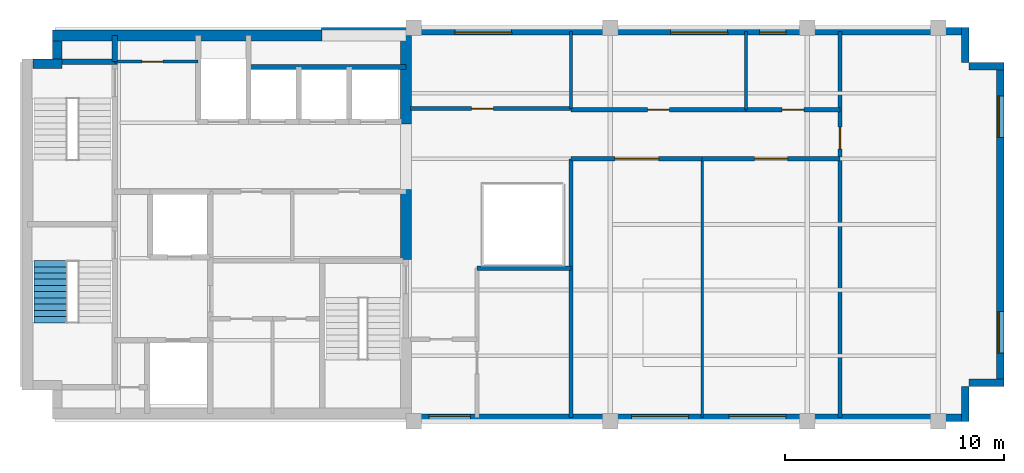
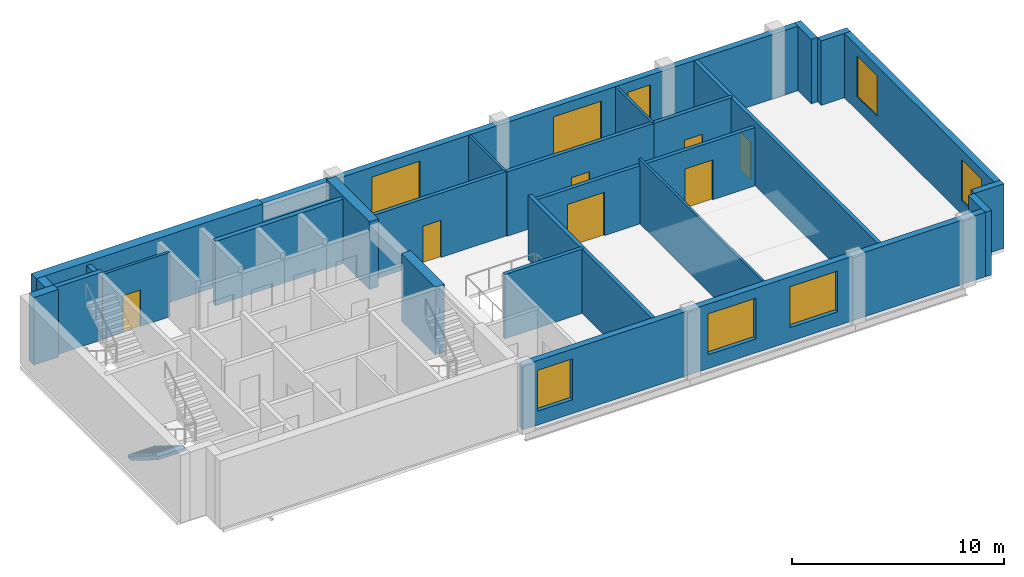
# One storey, part 3 of 5: 27 walls, 8 windows, 7 doors, 1 stair flight, 15 openings, 1 element without a shape of its own.
"""IFC4 building model written with IfcOpenShell, lengths in metres."""

from ifc_helpers import new_model, si_unit, direction, frame, frame_2d, origin, place, context, subcontext, project, spatial, polyline, rectangle, outline, extrude, material, layer, layer_set, type_object, element, fill, aggregate, save


model = new_model("IFC4")

# Units and contexts
model_context = context("Model", 3, precision=1e-05, world=origin(), true_north=direction((0.0, 1.0)))
body_context = subcontext(model_context, "Body", "Model", "MODEL_VIEW")
ifc_project = project(units=[si_unit("LENGTHUNIT", "METRE"), si_unit("AREAUNIT", "SQUARE_METRE"), si_unit("VOLUMEUNIT", "CUBIC_METRE"), si_unit("PLANEANGLEUNIT", "RADIAN"), si_unit("MASSUNIT", "GRAM", prefix="KILO")], contexts=[model_context])

# Site, building, storey
site_placement = place(None, origin())
site = spatial("IfcSite", under=ifc_project, at=site_placement, CompositionType="ELEMENT")
building_placement = place(site_placement, origin())
building = spatial("IfcBuilding", under=site, at=building_placement, Name="Mawjdan Bourse Tower", CompositionType="ELEMENT")
storey_placement = place(building_placement, frame((0.0, 0.0, 297.60009765625)))
storey = spatial("IfcBuildingStorey", under=building, at=storey_placement, Name="L73", CompositionType="ELEMENT", Elevation=297.60009765625)

# Wall, openings, windows
ifc_material_1 = material(Name="Brick Masonry Buff", Category="masonry")
ifc_layer_1 = layer(ifc_material_1, 0.340087890625)
ifc_layer_set_1 = layer_set([ifc_layer_1], Name="Brick Masonry Buff")
wall_type_1 = type_object("IfcWallType", Name="WL-BRK-SPN-340", PredefinedType="STANDARD", material=ifc_layer_set_1)
wall_1_placement = place(storey_placement, frame((23.89990234375, 3.169921875, 0.0), z_axis=(0.0, 0.0, 1.0), x_axis=(1.0, 0.0, 0.0)))
wall_1 = element("IfcWall", 1, at=wall_1_placement, inside=storey, type_object=wall_type_1, Name="L73 Exterior Brick Wall 1", PredefinedType="STANDARD", context=body_context, shape_type="SweptSolid", body=[
    extrude(rectangle(XDim=25.5, YDim=0.340087890625, at=frame_2d((12.75, 0.0))), origin(), (0.0, 0.0, 1.0), 3.71484375),
])
opening_1_placement = place(wall_1_placement, frame((0.800048828125, 0.0, 0.800048828125)))
opening_1 = element("IfcOpeningElement", 2, at=opening_1_placement, cuts=wall_1, Name="Opening W-L73-05", PredefinedType="OPENING", context=body_context, shape_type="SweptSolid", body=[
    extrude(rectangle(XDim=1.89990234375, YDim=2.35009765625, at=frame_2d((0.949951171875, 1.175048828125))), frame((0.0, 0.18017578125, 0.0), z_axis=(0.0, -1.0, 0.0), x_axis=(1.0, 0.0, 0.0)), (0.0, 0.0, 1.0), 0.360107421875),
])
opening_2_placement = place(wall_1_placement, frame((10.07470703125, 0.0, 0.800048828125)))
opening_2 = element("IfcOpeningElement", 3, at=opening_2_placement, cuts=wall_1, Name="Opening W-L73-06", PredefinedType="OPENING", context=body_context, shape_type="SweptSolid", body=[
    extrude(rectangle(XDim=2.60009765625, YDim=2.35009765625, at=frame_2d((1.300048828125, 1.175048828125))), frame((0.0, 0.18017578125, 0.0), z_axis=(0.0, -1.0, 0.0), x_axis=(1.0, 0.0, 0.0)), (0.0, 0.0, 1.0), 0.360107421875),
])
opening_3_placement = place(wall_1_placement, frame((14.52490234375, 0.0, 0.800048828125)))
opening_3 = element("IfcOpeningElement", 4, at=opening_3_placement, cuts=wall_1, Name="Opening W-L73-07", PredefinedType="OPENING", context=body_context, shape_type="SweptSolid", body=[
    extrude(rectangle(XDim=2.60009765625, YDim=2.35009765625, at=frame_2d((1.300048828125, 1.175048828125))), frame((0.0, 0.18017578125, 0.0), z_axis=(0.0, -1.0, 0.0), x_axis=(1.0, 0.0, 0.0)), (0.0, 0.0, 1.0), 0.360107421875),
])
ifc_material_2 = material(Name="Solar-Control Clear Double Glazing", Category="glass")
window_type_1 = type_object("IfcWindowType", Name="WN-SMT-1900", PartitioningType="SINGLE_PANEL", PredefinedType="WINDOW", material=ifc_material_2)
window_1_placement = place(opening_1_placement, origin())
window_1 = element("IfcWindow", 5, at=window_1_placement, inside=storey, type_object=window_type_1, Name="L73 Deep-Set Masonry Window W-L73-05", OverallHeight=2.35009765625, OverallWidth=1.89990234375, PartitioningType="SINGLE_PANEL", PredefinedType="WINDOW", context=body_context, shape_type="SweptSolid", body=[
    extrude(rectangle(XDim=1.89990234375, YDim=2.35009765625, at=frame_2d((0.949951171875, 1.175048828125))), frame((0.0, 0.110107421875, 0.0), z_axis=(0.0, -1.0, 0.0), x_axis=(1.0, 0.0, 0.0)), (0.0, 0.0, 1.0), 0.06005859375),
])
fill(opening_1, window_1)
window_type_2 = type_object("IfcWindowType", Name="WN-SMT-2600", PartitioningType="SINGLE_PANEL", PredefinedType="WINDOW", material=ifc_material_2)
window_2_placement = place(opening_2_placement, origin())
window_2 = element("IfcWindow", 6, at=window_2_placement, inside=storey, type_object=window_type_2, Name="L73 Deep-Set Masonry Window W-L73-06", OverallHeight=2.35009765625, OverallWidth=2.60009765625, PartitioningType="SINGLE_PANEL", PredefinedType="WINDOW", context=body_context, shape_type="SweptSolid", body=[
    extrude(rectangle(XDim=2.60009765625, YDim=2.35009765625, at=frame_2d((1.300048828125, 1.175048828125))), frame((0.0, 0.110107421875, 0.0), z_axis=(0.0, -1.0, 0.0), x_axis=(1.0, 0.0, 0.0)), (0.0, 0.0, 1.0), 0.06005859375),
])
fill(opening_2, window_2)
window_3_placement = place(opening_3_placement, origin())
window_3 = element("IfcWindow", 7, at=window_3_placement, inside=storey, type_object=window_type_2, Name="L73 Deep-Set Masonry Window W-L73-07", OverallHeight=2.35009765625, OverallWidth=2.60009765625, PartitioningType="SINGLE_PANEL", PredefinedType="WINDOW", context=body_context, shape_type="SweptSolid", body=[
    extrude(rectangle(XDim=2.60009765625, YDim=2.35009765625, at=frame_2d((1.300048828125, 1.175048828125))), frame((0.0, 0.110107421875, 0.0), z_axis=(0.0, -1.0, 0.0), x_axis=(1.0, 0.0, 0.0)), (0.0, 0.0, 1.0), 0.06005859375),
])
fill(opening_3, window_3)

# Walls
for number, where, z_axis, x_axis, name in (
    (8, (49.22998046875, 3.0, 0.0), (0.0, 0.0, 1.0), (0.0, 1.0, 0.0), "L73 Exterior Brick Wall 2"),
    (9, (49.39990234375, 4.77001953125, 0.0), (0.0, 0.0, 1.0), (1.0, 0.0, 0.0), "L73 Exterior Brick Wall 3"),
):
    element("IfcWall", number, at=place(storey_placement, frame(where, z_axis=z_axis, x_axis=x_axis)), inside=storey, type_object=wall_type_1, Name=name, PredefinedType="STANDARD", context=body_context, shape_type="SweptSolid", body=[
        extrude(rectangle(XDim=1.60009765625, YDim=0.340087890625, at=frame_2d((0.800048828125, 0.0))), origin(), (0.0, 0.0, 1.0), 3.71484375),
    ])

# Wall, openings, windows
wall_2_placement = place(storey_placement, frame((50.830078125, 4.60009765625, 0.0), z_axis=(0.0, 0.0, 1.0), x_axis=(0.0, 1.0, 0.0)))
wall_2 = element("IfcWall", 10, at=wall_2_placement, inside=storey, type_object=wall_type_1, Name="L73 Exterior Brick Wall 4", PredefinedType="STANDARD", context=body_context, shape_type="SweptSolid", body=[
    extrude(rectangle(XDim=14.7998046875, YDim=0.340087890625, at=frame_2d((7.39990234375, 0.0))), origin(), (0.0, 0.0, 1.0), 3.71484375),
])
opening_4_placement = place(wall_2_placement, frame((1.5166015625, 0.0, 0.800048828125)))
opening_4 = element("IfcOpeningElement", 11, at=opening_4_placement, cuts=wall_2, Name="Opening W-L73-01", PredefinedType="OPENING", context=body_context, shape_type="SweptSolid", body=[
    extrude(rectangle(XDim=1.89990234375, YDim=2.35009765625, at=frame_2d((0.949951171875, 1.175048828125))), frame((0.0, 0.18017578125, 0.0), z_axis=(0.0, -1.0, 0.0), x_axis=(1.0, 0.0, 0.0)), (0.0, 0.0, 1.0), 0.360107421875),
])
opening_5_placement = place(wall_2_placement, frame((11.38330078125, 0.0, 0.800048828125)))
opening_5 = element("IfcOpeningElement", 12, at=opening_5_placement, cuts=wall_2, Name="Opening W-L73-02", PredefinedType="OPENING", context=body_context, shape_type="SweptSolid", body=[
    extrude(rectangle(XDim=1.89990234375, YDim=2.35009765625, at=frame_2d((0.949951171875, 1.175048828125))), frame((0.0, 0.18017578125, 0.0), z_axis=(0.0, -1.0, 0.0), x_axis=(1.0, 0.0, 0.0)), (0.0, 0.0, 1.0), 0.360107421875),
])
window_4_placement = place(opening_4_placement, origin())
window_4 = element("IfcWindow", 13, at=window_4_placement, inside=storey, type_object=window_type_1, Name="L73 Deep-Set Masonry Window W-L73-01", OverallHeight=2.35009765625, OverallWidth=1.89990234375, PartitioningType="SINGLE_PANEL", PredefinedType="WINDOW", context=body_context, shape_type="SweptSolid", body=[
    extrude(rectangle(XDim=1.89990234375, YDim=2.35009765625, at=frame_2d((0.949951171875, 1.175048828125))), frame((0.0, 0.110107421875, 0.0), z_axis=(0.0, -1.0, 0.0), x_axis=(1.0, 0.0, 0.0)), (0.0, 0.0, 1.0), 0.06005859375),
])
fill(opening_4, window_4)
window_5_placement = place(opening_5_placement, origin())
window_5 = element("IfcWindow", 14, at=window_5_placement, inside=storey, type_object=window_type_1, Name="L73 Deep-Set Masonry Window W-L73-02", OverallHeight=2.35009765625, OverallWidth=1.89990234375, PartitioningType="SINGLE_PANEL", PredefinedType="WINDOW", context=body_context, shape_type="SweptSolid", body=[
    extrude(rectangle(XDim=1.89990234375, YDim=2.35009765625, at=frame_2d((0.949951171875, 1.175048828125))), frame((0.0, 0.110107421875, 0.0), z_axis=(0.0, -1.0, 0.0), x_axis=(1.0, 0.0, 0.0)), (0.0, 0.0, 1.0), 0.06005859375),
])
fill(opening_5, window_5)

# Walls
for number, where, z_axis, x_axis, name in (
    (15, (51.0, 19.22998046875, 0.0), (0.0, 0.0, 1.0), (-1.0, 0.0, 0.0), "L73 Exterior Brick Wall 5"),
    (16, (49.22998046875, 19.39990234375, 0.0), (0.0, 0.0, 1.0), (0.0, 1.0, 0.0), "L73 Exterior Brick Wall 6"),
):
    element("IfcWall", number, at=place(storey_placement, frame(where, z_axis=z_axis, x_axis=x_axis)), inside=storey, type_object=wall_type_1, Name=name, PredefinedType="STANDARD", context=body_context, shape_type="SweptSolid", body=[
        extrude(rectangle(XDim=1.60009765625, YDim=0.340087890625, at=frame_2d((0.800048828125, 0.0))), origin(), (0.0, 0.0, 1.0), 3.71484375),
    ])

# Wall, openings, windows
wall_3_placement = place(storey_placement, frame((49.39990234375, 20.830078125, 0.0), z_axis=(0.0, 0.0, 1.0), x_axis=(-1.0, 0.0, 0.0)))
wall_3 = element("IfcWall", 17, at=wall_3_placement, inside=storey, type_object=wall_type_1, Name="L73 Exterior Brick Wall 7", PredefinedType="STANDARD", context=body_context, shape_type="SweptSolid", body=[
    extrude(rectangle(XDim=29.619873046875, YDim=0.340087890625, at=frame_2d((14.81005859375, 0.0))), origin(), (0.0, 0.0, 1.0), 3.71484375),
])
opening_6_placement = place(wall_3_placement, frame((11.041748046875, 0.0, 0.800048828125)))
opening_6 = element("IfcOpeningElement", 18, at=opening_6_placement, cuts=wall_3, Name="Opening W-L73-03", PredefinedType="OPENING", context=body_context, shape_type="SweptSolid", body=[
    extrude(rectangle(XDim=2.60009765625, YDim=2.35009765625, at=frame_2d((1.300048828125, 1.175048828125))), frame((0.0, 0.18017578125, 0.0), z_axis=(0.0, -1.0, 0.0), x_axis=(1.0, 0.0, 0.0)), (0.0, 0.0, 1.0), 0.360107421875),
])
opening_7_placement = place(wall_3_placement, frame((20.9150390625, 0.0, 0.800048828125)))
opening_7 = element("IfcOpeningElement", 19, at=opening_7_placement, cuts=wall_3, Name="Opening W-L73-04", PredefinedType="OPENING", context=body_context, shape_type="SweptSolid", body=[
    extrude(rectangle(XDim=2.60009765625, YDim=2.35009765625, at=frame_2d((1.300048828125, 1.175048828125))), frame((0.0, 0.18017578125, 0.0), z_axis=(0.0, -1.0, 0.0), x_axis=(1.0, 0.0, 0.0)), (0.0, 0.0, 1.0), 0.360107421875),
])
opening_8_placement = place(wall_3_placement, frame((8.374755859375, 0.0, 0.800048828125)))
opening_8 = element("IfcOpeningElement", 20, at=opening_8_placement, cuts=wall_3, Name="Opening W-L73-08", PredefinedType="OPENING", context=body_context, shape_type="SweptSolid", body=[
    extrude(rectangle(XDim=1.199951171875, YDim=2.35009765625, at=frame_2d((0.60009765625, 1.175048828125))), frame((0.0, 0.18017578125, 0.0), z_axis=(0.0, -1.0, 0.0), x_axis=(1.0, 0.0, 0.0)), (0.0, 0.0, 1.0), 0.360107421875),
])
window_type_3 = type_object("IfcWindowType", Name="WN-SMT-1200", PartitioningType="SINGLE_PANEL", PredefinedType="WINDOW", material=ifc_material_2)
window_6_placement = place(opening_8_placement, origin())
window_6 = element("IfcWindow", 21, at=window_6_placement, inside=storey, type_object=window_type_3, Name="L73 Deep-Set Masonry Window W-L73-08", OverallHeight=2.35009765625, OverallWidth=1.199951171875, PartitioningType="SINGLE_PANEL", PredefinedType="WINDOW", context=body_context, shape_type="SweptSolid", body=[
    extrude(rectangle(XDim=1.199951171875, YDim=2.35009765625, at=frame_2d((0.60009765625, 1.175048828125))), frame((0.0, 0.110107421875, 0.0), z_axis=(0.0, -1.0, 0.0), x_axis=(1.0, 0.0, 0.0)), (0.0, 0.0, 1.0), 0.06005859375),
])
fill(opening_8, window_6)
window_7_placement = place(opening_6_placement, origin())
window_7 = element("IfcWindow", 22, at=window_7_placement, inside=storey, type_object=window_type_2, Name="L73 Deep-Set Masonry Window W-L73-03", OverallHeight=2.35009765625, OverallWidth=2.60009765625, PartitioningType="SINGLE_PANEL", PredefinedType="WINDOW", context=body_context, shape_type="SweptSolid", body=[
    extrude(rectangle(XDim=2.60009765625, YDim=2.35009765625, at=frame_2d((1.300048828125, 1.175048828125))), frame((0.0, 0.110107421875, 0.0), z_axis=(0.0, -1.0, 0.0), x_axis=(1.0, 0.0, 0.0)), (0.0, 0.0, 1.0), 0.06005859375),
])
fill(opening_6, window_7)
window_8_placement = place(opening_7_placement, origin())
window_8 = element("IfcWindow", 23, at=window_8_placement, inside=storey, type_object=window_type_2, Name="L73 Deep-Set Masonry Window W-L73-04", OverallHeight=2.35009765625, OverallWidth=2.60009765625, PartitioningType="SINGLE_PANEL", PredefinedType="WINDOW", context=body_context, shape_type="SweptSolid", body=[
    extrude(rectangle(XDim=2.60009765625, YDim=2.35009765625, at=frame_2d((1.300048828125, 1.175048828125))), frame((0.0, 0.110107421875, 0.0), z_axis=(0.0, -1.0, 0.0), x_axis=(1.0, 0.0, 0.0)), (0.0, 0.0, 1.0), 0.06005859375),
])
fill(opening_7, window_8)

# Walls
ifc_material_3 = material(Name="Gypsum Fireboard Assembly")
ifc_layer_2 = layer(ifc_material_3, 0.199951171875)
ifc_layer_set_2 = layer_set([ifc_layer_2], Name="Gypsum Fireboard Assembly")
wall_type_2 = type_object("IfcWallType", Name="WL-CMP-200", PredefinedType="PARTITIONING", material=ifc_layer_set_2)
wall_4_placement = place(storey_placement, frame((26.89990234375, 10.0, 0.0), z_axis=(0.0, 0.0, 1.0), x_axis=(1.0, 0.0, 0.0)))
element("IfcWall", 24, at=wall_4_placement, inside=storey, type_object=wall_type_2, Name="L73 Summit South Atrium Suite North Wall", PredefinedType="PARTITIONING", context=body_context, shape_type="SweptSolid", body=[
    extrude(rectangle(XDim=4.300048828125, YDim=0.199951171875, at=frame_2d((2.14990234375, 0.0))), origin(), (0.0, 0.0, 1.0), 3.704833984375),
])
wall_5_placement = place(storey_placement, frame((31.199951171875, 3.179931640625, 0.0), z_axis=(0.0, 0.0, 1.0), x_axis=(0.0, 1.0, 0.0)))
element("IfcWall", 25, at=wall_5_placement, inside=storey, type_object=wall_type_2, Name="L73 Summit South Atrium Suite East Wall", PredefinedType="PARTITIONING", context=body_context, shape_type="SweptSolid", body=[
    extrude(rectangle(XDim=11.820068359375, YDim=0.199951171875, at=frame_2d((5.91015625, 0.0))), origin(), (0.0, 0.0, 1.0), 3.704833984375),
])

# Wall, opening, door
wall_6_placement = place(storey_placement, frame((23.85009765625, 17.300048828125, 0.0), z_axis=(0.0, 0.0, 1.0), x_axis=(1.0, 0.0, 0.0)))
wall_6 = element("IfcWall", 26, at=wall_6_placement, inside=storey, type_object=wall_type_2, Name="L73 Summit Throat North Wall", PredefinedType="PARTITIONING", context=body_context, shape_type="SweptSolid", body=[
    extrude(rectangle(XDim=7.349853515625, YDim=0.199951171875, at=frame_2d((3.6748046875, 0.0))), origin(), (0.0, 0.0, 1.0), 3.704833984375),
])
opening_9_placement = place(wall_6_placement, frame((2.800048828125, 0.0, 0.0)))
opening_9 = element("IfcOpeningElement", 27, at=opening_9_placement, cuts=wall_6, Name="Opening D-L73-20", PredefinedType="OPENING", context=body_context, shape_type="SweptSolid", body=[
    extrude(rectangle(XDim=1.0, YDim=2.14990234375, at=frame_2d((0.5, 1.074951171875))), frame((0.0, 0.10986328125, 0.0), z_axis=(0.0, -1.0, 0.0), x_axis=(1.0, 0.0, 0.0)), (0.0, 0.0, 1.0), 0.219970703125),
])
ifc_material_4 = material(Name="Hardwood Acoustic Leaf", Category="wood")
door_type_1 = type_object("IfcDoorType", Name="DR-OFC-1000", OperationType="NOTDEFINED", PredefinedType="DOOR", material=ifc_material_4)
door_1_placement = place(opening_9_placement, origin())
door_1 = element("IfcDoor", 28, at=door_1_placement, inside=storey, type_object=door_type_1, Name="L73 Summit Throat North Room Door D-L73-20", OperationType="SINGLE_SWING_LEFT", OverallHeight=2.14990234375, OverallWidth=1.0, PredefinedType="DOOR", context=body_context, shape_type="SweptSolid", body=[
    extrude(rectangle(XDim=1.0, YDim=2.14990234375, at=frame_2d((0.5, 1.074951171875))), frame((0.0, 0.02490234375, 0.0), z_axis=(0.0, -1.0, 0.0), x_axis=(1.0, 0.0, 0.0)), (0.0, 0.0, 1.0), 0.050048828125),
])
fill(opening_9, door_1)

wall_7_placement = place(storey_placement, frame((31.199951171875, 15.0, 0.0), z_axis=(0.0, 0.0, 1.0), x_axis=(1.0, 0.0, 0.0)))
wall_7 = element("IfcWall", 29, at=wall_7_placement, inside=storey, type_object=wall_type_2, Name="L73 Gulf Capital Council Hall Corridor Wall", PredefinedType="PARTITIONING", context=body_context, shape_type="SweptSolid", body=[
    extrude(rectangle(XDim=6.0, YDim=0.199951171875, at=frame_2d((3.0, 0.0))), origin(), (0.0, 0.0, 1.0), 3.35400390625),
])
opening_10_placement = place(wall_7_placement, frame((2.0, 0.0, 0.0)))
opening_10 = element("IfcOpeningElement", 30, at=opening_10_placement, cuts=wall_7, Name="Opening D-L73-21", PredefinedType="OPENING", context=body_context, shape_type="SweptSolid", body=[
    extrude(rectangle(XDim=2.0, YDim=2.5, at=frame_2d((1.0, 1.25))), frame((0.0, 0.10986328125, 0.0), z_axis=(0.0, -1.0, 0.0), x_axis=(1.0, 0.0, 0.0)), (0.0, 0.0, 1.0), 0.219970703125),
])
ifc_material_5 = material(Name="Acoustic Veneered Timber", Category="wood")
door_type_2 = type_object("IfcDoorType", Name="DR-ASM-2000", OperationType="DOUBLE_DOOR_SINGLE_SWING", PredefinedType="DOOR", material=ifc_material_5)
door_2_placement = place(opening_10_placement, origin())
door_2 = element("IfcDoor", 31, at=door_2_placement, inside=storey, type_object=door_type_2, Name="L73 Gulf Capital Council Hall Door D-L73-21", OperationType="DOUBLE_DOOR_SINGLE_SWING", OverallHeight=2.5, OverallWidth=2.0, PredefinedType="DOOR", context=body_context, shape_type="SweptSolid", body=[
    extrude(rectangle(XDim=2.0, YDim=2.5, at=frame_2d((1.0, 1.25))), frame((0.0, 0.02490234375, 0.0), z_axis=(0.0, -1.0, 0.0), x_axis=(1.0, 0.0, 0.0)), (0.0, 0.0, 1.0), 0.050048828125),
])
fill(opening_10, door_2)

wall_8_placement = place(storey_placement, frame((37.199951171875, 15.0, 0.0), z_axis=(0.0, 0.0, 1.0), x_axis=(1.0, 0.0, 0.0)))
wall_8 = element("IfcWall", 32, at=wall_8_placement, inside=storey, type_object=wall_type_2, Name="L73 Conference Room Corridor Wall", PredefinedType="PARTITIONING", context=body_context, shape_type="SweptSolid", body=[
    extrude(rectangle(XDim=6.300048828125, YDim=0.199951171875, at=frame_2d((3.14990234375, 0.0))), origin(), (0.0, 0.0, 1.0), 3.35400390625),
])
opening_11_placement = place(wall_8_placement, frame((2.39990234375, 0.0, 0.0)))
opening_11 = element("IfcOpeningElement", 33, at=opening_11_placement, cuts=wall_8, Name="Opening D-L73-22", PredefinedType="OPENING", context=body_context, shape_type="SweptSolid", body=[
    extrude(rectangle(XDim=1.5, YDim=2.300048828125, at=frame_2d((0.75, 1.14990234375))), frame((0.0, 0.10986328125, 0.0), z_axis=(0.0, -1.0, 0.0), x_axis=(1.0, 0.0, 0.0)), (0.0, 0.0, 1.0), 0.219970703125),
])
ifc_material_6 = material(Name="Acoustic Glazed Timber", Category="wood")
door_type_3 = type_object("IfcDoorType", Name="DR-CNF-1500", OperationType="DOUBLE_DOOR_SINGLE_SWING", PredefinedType="DOOR", material=ifc_material_6)
door_3_placement = place(opening_11_placement, origin())
door_3 = element("IfcDoor", 34, at=door_3_placement, inside=storey, type_object=door_type_3, Name="L73 Conference Room Door D-L73-22", OperationType="DOUBLE_DOOR_SINGLE_SWING", OverallHeight=2.300048828125, OverallWidth=1.5, PredefinedType="DOOR", context=body_context, shape_type="SweptSolid", body=[
    extrude(rectangle(XDim=1.5, YDim=2.300048828125, at=frame_2d((0.75, 1.14990234375))), frame((0.0, 0.02490234375, 0.0), z_axis=(0.0, -1.0, 0.0), x_axis=(1.0, 0.0, 0.0)), (0.0, 0.0, 1.0), 0.050048828125),
])
fill(opening_11, door_3)

wall_9_placement = place(storey_placement, frame((31.199951171875, 17.25, 0.0), z_axis=(0.0, 0.0, 1.0), x_axis=(1.0, 0.0, 0.0)))
wall_9 = element("IfcWall", 35, at=wall_9_placement, inside=storey, type_object=wall_type_2, Name="L73 Executive Office Corridor Wall", PredefinedType="PARTITIONING", context=body_context, shape_type="SweptSolid", body=[
    extrude(rectangle(XDim=8.0, YDim=0.199951171875, at=frame_2d((4.0, 0.0))), origin(), (0.0, 0.0, 1.0), 3.704833984375),
])
opening_12_placement = place(wall_9_placement, frame((3.5, 0.0, 0.0)))
opening_12 = element("IfcOpeningElement", 36, at=opening_12_placement, cuts=wall_9, Name="Opening D-L73-23", PredefinedType="OPENING", context=body_context, shape_type="SweptSolid", body=[
    extrude(rectangle(XDim=1.0, YDim=2.14990234375, at=frame_2d((0.5, 1.074951171875))), frame((0.0, 0.10986328125, 0.0), z_axis=(0.0, -1.0, 0.0), x_axis=(1.0, 0.0, 0.0)), (0.0, 0.0, 1.0), 0.219970703125),
])
door_4_placement = place(opening_12_placement, origin())
door_4 = element("IfcDoor", 37, at=door_4_placement, inside=storey, type_object=door_type_1, Name="L73 Executive Office Door D-L73-23", OperationType="SINGLE_SWING_RIGHT", OverallHeight=2.14990234375, OverallWidth=1.0, PredefinedType="DOOR", context=body_context, shape_type="SweptSolid", body=[
    extrude(rectangle(XDim=1.0, YDim=2.14990234375, at=frame_2d((0.5, 1.074951171875))), frame((0.0, 0.02490234375, 0.0), z_axis=(0.0, -1.0, 0.0), x_axis=(1.0, 0.0, 0.0)), (0.0, 0.0, 1.0), 0.050048828125),
])
fill(opening_12, door_4)

wall_10_placement = place(storey_placement, frame((39.199951171875, 17.25, 0.0), z_axis=(0.0, 0.0, 1.0), x_axis=(1.0, 0.0, 0.0)))
wall_10 = element("IfcWall", 38, at=wall_10_placement, inside=storey, type_object=wall_type_2, Name="L73 Private Advisory Suite Corridor Wall", PredefinedType="PARTITIONING", context=body_context, shape_type="SweptSolid", body=[
    extrude(rectangle(XDim=4.300048828125, YDim=0.199951171875, at=frame_2d((2.14990234375, 0.0))), origin(), (0.0, 0.0, 1.0), 3.704833984375),
])
opening_13_placement = place(wall_10_placement, frame((1.64990234375, 0.0, 0.0)))
opening_13 = element("IfcOpeningElement", 39, at=opening_13_placement, cuts=wall_10, Name="Opening D-L73-24", PredefinedType="OPENING", context=body_context, shape_type="SweptSolid", body=[
    extrude(rectangle(XDim=1.0, YDim=2.14990234375, at=frame_2d((0.5, 1.074951171875))), frame((0.0, 0.10986328125, 0.0), z_axis=(0.0, -1.0, 0.0), x_axis=(1.0, 0.0, 0.0)), (0.0, 0.0, 1.0), 0.219970703125),
])
door_5_placement = place(opening_13_placement, origin())
door_5 = element("IfcDoor", 40, at=door_5_placement, inside=storey, type_object=door_type_1, Name="L73 Private Advisory Suite Door D-L73-24", OperationType="SINGLE_SWING_LEFT", OverallHeight=2.14990234375, OverallWidth=1.0, PredefinedType="DOOR", context=body_context, shape_type="SweptSolid", body=[
    extrude(rectangle(XDim=1.0, YDim=2.14990234375, at=frame_2d((0.5, 1.074951171875))), frame((0.0, 0.02490234375, 0.0), z_axis=(0.0, -1.0, 0.0), x_axis=(1.0, 0.0, 0.0)), (0.0, 0.0, 1.0), 0.050048828125),
])
fill(opening_13, door_5)

wall_11_placement = place(storey_placement, frame((43.5, 3.179931640625, 0.0), z_axis=(0.0, 0.0, 1.0), x_axis=(0.0, 1.0, 0.0)))
wall_11 = element("IfcWall", 41, at=wall_11_placement, inside=storey, type_object=wall_type_2, Name="L73 East Tip Full Cross Wall", PredefinedType="PARTITIONING", context=body_context, shape_type="SweptSolid", body=[
    extrude(rectangle(XDim=17.64013671875, YDim=0.199951171875, at=frame_2d((8.820068359375, 0.0))), origin(), (0.0, 0.0, 1.0), 3.704833984375),
])
opening_14_placement = place(wall_11_placement, frame((12.27490234375, 0.0, 0.0)))
opening_14 = element("IfcOpeningElement", 42, at=opening_14_placement, cuts=wall_11, Name="Opening D-L73-25", PredefinedType="OPENING", context=body_context, shape_type="SweptSolid", body=[
    extrude(rectangle(XDim=1.0, YDim=2.14990234375, at=frame_2d((0.5, 1.074951171875))), frame((0.0, 0.10986328125, 0.0), z_axis=(0.0, -1.0, 0.0), x_axis=(1.0, 0.0, 0.0)), (0.0, 0.0, 1.0), 0.219970703125),
])
door_6_placement = place(opening_14_placement, origin())
door_6 = element("IfcDoor", 43, at=door_6_placement, inside=storey, type_object=door_type_1, Name="L73 East Tip Hall Door D-L73-25", OperationType="SINGLE_SWING_RIGHT", OverallHeight=2.14990234375, OverallWidth=1.0, PredefinedType="DOOR", context=body_context, shape_type="SweptSolid", body=[
    extrude(rectangle(XDim=1.0, YDim=2.14990234375, at=frame_2d((0.5, 1.074951171875))), frame((0.0, 0.02490234375, 0.0), z_axis=(0.0, -1.0, 0.0), x_axis=(1.0, 0.0, 0.0)), (0.0, 0.0, 1.0), 0.050048828125),
])
fill(opening_14, door_6)

# Walls
ifc_material_7 = material(Name="Concrete C60/75", Category="concrete")
ifc_layer_3 = layer(ifc_material_7, 0.449951171875)
ifc_layer_set_3 = layer_set([ifc_layer_3], Name="Concrete C60/75")
wall_type_3 = type_object("IfcWallType", Name="WL-CORE-450", PredefinedType="SHEAR", material=ifc_layer_set_3)
wall_12_placement = place(storey_placement, frame((6.60009765625, 19.35009765625, 0.0), z_axis=(0.0, 0.0, 1.0), x_axis=(1.0, 0.0, 0.0)))
element("IfcWall", 44, at=wall_12_placement, inside=storey, type_object=wall_type_3, Name="L73 Rear Core Shear Wall NW-X", PredefinedType="SHEAR", context=body_context, shape_type="SweptSolid", body=[
    extrude(rectangle(XDim=1.324951171875, YDim=0.449951171875, at=frame_2d((0.66259765625, 0.0))), origin(), (0.0, 0.0, 1.0), 3.89990234375),
])
wall_13_placement = place(storey_placement, frame((7.699951171875, 19.574951171875, 0.0), z_axis=(0.0, 0.0, 1.0), x_axis=(0.0, 1.0, 0.0)))
element("IfcWall", 45, at=wall_13_placement, inside=storey, type_object=wall_type_3, Name="L73 Rear Core Shear Wall NW-Y", PredefinedType="SHEAR", context=body_context, shape_type="SweptSolid", body=[
    extrude(rectangle(XDim=0.824951171875, YDim=0.449951171875, at=frame_2d((0.41259765625, 0.0))), origin(), (0.0, 0.0, 1.0), 3.89990234375),
])
ifc_layer_4 = layer(ifc_material_7, 0.5)
ifc_layer_set_4 = layer_set([ifc_layer_4], Name="Concrete C60/75")
wall_type_4 = type_object("IfcWallType", Name="WL-CORE-500", PredefinedType="SHEAR", material=ifc_layer_set_4)
wall_14_placement = place(storey_placement, frame((7.47509765625, 20.64990234375, 0.0), z_axis=(0.0, 0.0, 1.0), x_axis=(1.0, 0.0, 0.0)))
element("IfcWall", 46, at=wall_14_placement, inside=storey, type_object=wall_type_4, Name="L73 Rear Core Shear Wall N", PredefinedType="SHEAR", context=body_context, shape_type="SweptSolid", body=[
    extrude(rectangle(XDim=12.324951171875, YDim=0.5, at=frame_2d((6.16259765625, 0.0))), origin(), (0.0, 0.0, 1.0), 3.89990234375),
])
wall_15_placement = place(storey_placement, frame((23.64990234375, 10.39990234375, 0.0), z_axis=(0.0, 0.0, 1.0), x_axis=(0.0, 1.0, 0.0)))
element("IfcWall", 47, at=wall_15_placement, inside=storey, type_object=wall_type_4, Name="L73 Rear Core Shear Wall E2", PredefinedType="SHEAR", context=body_context, shape_type="SweptSolid", body=[
    extrude(rectangle(XDim=3.2001953125, YDim=0.5, at=frame_2d((1.60009765625, 0.0))), origin(), (0.0, 0.0, 1.0), 3.89990234375),
])
wall_16_placement = place(storey_placement, frame((23.64990234375, 16.60009765625, 0.0), z_axis=(0.0, 0.0, 1.0), x_axis=(0.0, 1.0, 0.0)))
element("IfcWall", 48, at=wall_16_placement, inside=storey, type_object=wall_type_4, Name="L73 Rear Core Shear Wall E3", PredefinedType="SHEAR", context=body_context, shape_type="SweptSolid", body=[
    extrude(rectangle(XDim=4.0498046875, YDim=0.5, at=frame_2d((2.02490234375, 0.0))), origin(), (0.0, 0.0, 1.0), 3.89990234375),
])
ifc_material_8 = material(Name="Gypsum Partition")
ifc_layer_5 = layer(ifc_material_8, 0.125)
ifc_layer_set_5 = layer_set([ifc_layer_5], Name="Gypsum Partition")
wall_type_5 = type_object("IfcWallType", Name="WL-PRT-125", PredefinedType="PARTITIONING", material=ifc_layer_set_5)
wall_17_placement = place(storey_placement, frame((31.199951171875, 17.300048828125, 0.0), z_axis=(0.0, 0.0, 1.0), x_axis=(0.0, 1.0, 0.0)))
element("IfcWall", 49, at=wall_17_placement, inside=storey, type_object=wall_type_5, Name="L73 Summit Throat North Return", PredefinedType="PARTITIONING", context=body_context, shape_type="SweptSolid", body=[
    extrude(rectangle(XDim=3.52001953125, YDim=0.125, at=frame_2d((1.760009765625, 0.0))), origin(), (0.0, 0.0, 1.0), 3.704833984375),
])
wall_18_placement = place(storey_placement, frame((37.199951171875, 3.179931640625, 0.0), z_axis=(0.0, 0.0, 1.0), x_axis=(0.0, 1.0, 0.0)))
element("IfcWall", 50, at=wall_18_placement, inside=storey, type_object=wall_type_5, Name="L73 Conference Room Partition", PredefinedType="PARTITIONING", context=body_context, shape_type="SweptSolid", body=[
    extrude(rectangle(XDim=11.820068359375, YDim=0.125, at=frame_2d((5.91015625, 0.0))), origin(), (0.0, 0.0, 1.0), 3.704833984375),
])
wall_19_placement = place(storey_placement, frame((39.199951171875, 17.25, 0.0), z_axis=(0.0, 0.0, 1.0), x_axis=(0.0, 1.0, 0.0)))
element("IfcWall", 51, at=wall_19_placement, inside=storey, type_object=wall_type_5, Name="L73 Private Advisory Suite Partition", PredefinedType="PARTITIONING", context=body_context, shape_type="SweptSolid", body=[
    extrude(rectangle(XDim=3.570068359375, YDim=0.125, at=frame_2d((1.78515625, 0.0))), origin(), (0.0, 0.0, 1.0), 3.704833984375),
])

# Wall, opening, door
ifc_material_9 = material(Name="Gypsum Acoustic Partition")
ifc_layer_6 = layer(ifc_material_9, 0.14990234375)
ifc_layer_set_6 = layer_set([ifc_layer_6], Name="Gypsum Acoustic Partition")
wall_type_6 = type_object("IfcWallType", Name="WL-PRT-150", PredefinedType="PARTITIONING", material=ifc_layer_set_6)
wall_20_placement = place(storey_placement, frame((10.330078125, 19.449951171875, 0.0), z_axis=(0.0, 0.0, 1.0), x_axis=(1.0, 0.0, 0.0)))
wall_20 = element("IfcWall", 52, at=wall_20_placement, inside=storey, type_object=wall_type_6, Name="L73 Housekeeping South Wall", PredefinedType="PARTITIONING", context=body_context, shape_type="SweptSolid", body=[
    extrude(rectangle(XDim=3.81982421875, YDim=0.14990234375, at=frame_2d((1.909912109375, 0.0))), origin(), (0.0, 0.0, 1.0), 3.704833984375),
])
opening_15_placement = place(wall_20_placement, frame((1.25, 0.0, 0.0)))
opening_15 = element("IfcOpeningElement", 53, at=opening_15_placement, cuts=wall_20, Name="Opening D-L73-17", PredefinedType="OPENING", context=body_context, shape_type="SweptSolid", body=[
    extrude(rectangle(XDim=0.949951171875, YDim=2.10009765625, at=frame_2d((0.47509765625, 1.050048828125))), frame((0.0, 0.0849609375, 0.0), z_axis=(0.0, -1.0, 0.0), x_axis=(1.0, 0.0, 0.0)), (0.0, 0.0, 1.0), 0.169921875),
])
ifc_material_10 = material(Name="Moisture-Resistant Laminate Timber", Category="wood")
door_type_4 = type_object("IfcDoorType", Name="DR-WET-0950", OperationType="NOTDEFINED", PredefinedType="DOOR", material=ifc_material_10)
door_7_placement = place(opening_15_placement, origin())
door_7 = element("IfcDoor", 54, at=door_7_placement, inside=storey, type_object=door_type_4, Name="L73 Housekeeping Closet Door D-L73-17", OperationType="SINGLE_SWING_RIGHT", OverallHeight=2.10009765625, OverallWidth=0.949951171875, PredefinedType="DOOR", context=body_context, shape_type="SweptSolid", body=[
    extrude(rectangle(XDim=0.949951171875, YDim=2.10009765625, at=frame_2d((0.47509765625, 1.050048828125))), frame((0.0, 0.02490234375, 0.0), z_axis=(0.0, -1.0, 0.0), x_axis=(1.0, 0.0, 0.0)), (0.0, 0.0, 1.0), 0.050048828125),
])
fill(opening_15, door_7)

# Walls
ifc_material_11 = material(Name="Concrete C50/60", Category="concrete")
ifc_layer_7 = layer(ifc_material_11, 0.25)
ifc_layer_set_7 = layer_set([ifc_layer_7], Name="Concrete C50/60")
wall_type_7 = type_object("IfcWallType", Name="WL-SHFT-250", PredefinedType="PARTITIONING", material=ifc_layer_set_7)
wall_21_placement = place(storey_placement, frame((10.330078125, 19.449951171875, 0.0), z_axis=(0.0, 0.0, 1.0), x_axis=(0.0, 1.0, 0.0)))
element("IfcWall", 55, at=wall_21_placement, inside=storey, type_object=wall_type_7, Name="L73 NW Riser East Wall", PredefinedType="PARTITIONING", context=body_context, shape_type="SweptSolid", body=[
    extrude(rectangle(XDim=1.199951171875, YDim=0.25, at=frame_2d((0.60009765625, 0.0))), origin(), (0.0, 0.0, 1.0), 3.704833984375),
])
wall_22_placement = place(storey_placement, frame((16.449951171875, 19.199951171875, 0.0), z_axis=(0.0, 0.0, 1.0), x_axis=(1.0, 0.0, 0.0)))
element("IfcWall", 56, at=wall_22_placement, inside=storey, type_object=wall_type_7, Name="L73 PH Bank North Shaft Back Wall", PredefinedType="PARTITIONING", context=body_context, shape_type="SweptSolid", body=[
    extrude(rectangle(XDim=7.199951171875, YDim=0.25, at=frame_2d((3.60009765625, 0.0))), origin(), (0.0, 0.0, 1.0), 3.704833984375),
])
ifc_layer_8 = layer(ifc_material_11, 0.25)
ifc_layer_set_8 = layer_set([ifc_layer_8], Name="Concrete C50/60")
wall_type_8 = type_object("IfcWallType", Name="WL-STRW-250", PredefinedType="SHEAR", material=ifc_layer_set_8)
wall_23_placement = place(storey_placement, frame((7.699951171875, 19.449951171875, 0.0), z_axis=(0.0, 0.0, 1.0), x_axis=(1.0, 0.0, 0.0)))
element("IfcWall", 57, at=wall_23_placement, inside=storey, type_object=wall_type_8, Name="L73 Stairwell ST2 North Shaft Wall", PredefinedType="SHEAR", context=body_context, shape_type="SweptSolid", body=[
    extrude(rectangle(XDim=2.755126953125, YDim=0.25, at=frame_2d((1.37744140625, 0.0))), origin(), (0.0, 0.0, 1.0), 3.89990234375),
])

# Stair, stair flight
stair_type = type_object("IfcStairType", Name="STR-CORE-1500", PredefinedType="HALF_TURN_STAIR", material=ifc_material_11)
stair_placement = place(storey_placement, origin())
stair = element("IfcStair", 58, at=stair_placement, inside=storey, type_object=stair_type, Name="L73 Exit Stair 1 (Core South-West)", PredefinedType="HALF_TURN_STAIR")
stair_flight_type = type_object("IfcStairFlightType", Name="SFL-RC-1500", PredefinedType="STRAIGHT", material=ifc_material_11)
stair_flight_placement = place(storey_placement, frame((7.389892578125, 10.35009765625, 0.0), z_axis=(0.0, 0.0, 1.0), x_axis=(0.0, -1.0, 0.0)))
stair_flight = element("IfcStairFlight", 59, at=stair_flight_placement, type_object=stair_flight_type, Name="ST1-L73 flight 1", NumberOfRisers=11, NumberOfTreads=10, PredefinedType="STRAIGHT", RiserHeight=0.177273, TreadLength=0.285, context=body_context, shape_type="SweptSolid", body=[
    extrude(outline(polyline([(0.0, 0.0), (0.0, 0.17724609375), (0.284912109375, 0.17724609375), (0.284912109375, 0.3544921875), (0.570068359375, 0.3544921875), (0.570068359375, 0.53173828125), (0.85498046875, 0.53173828125), (0.85498046875, 0.708984375), (1.139892578125, 0.708984375), (1.139892578125, 0.886474609375), (1.425048828125, 0.886474609375), (1.425048828125, 1.063720703125), (1.7099609375, 1.063720703125), (1.7099609375, 1.240966796875), (1.9951171875, 1.240966796875), (1.9951171875, 1.418212890625), (2.280029296875, 1.418212890625), (2.280029296875, 1.595458984375), (2.56494140625, 1.595458984375), (2.56494140625, 1.772705078125), (2.85009765625, 1.772705078125), (2.85009765625, 1.949951171875), (2.85009765625, 1.58447265625), (0.302734375, 0.0), (0.0, 0.0)])), frame((0.0, 0.75, 0.0), z_axis=(0.0, -1.0, 0.0), x_axis=(1.0, 0.0, 0.0)), (0.0, 0.0, 1.0), 1.5),
])
aggregate(stair, [stair_flight])

save(model, "model.ifc")
